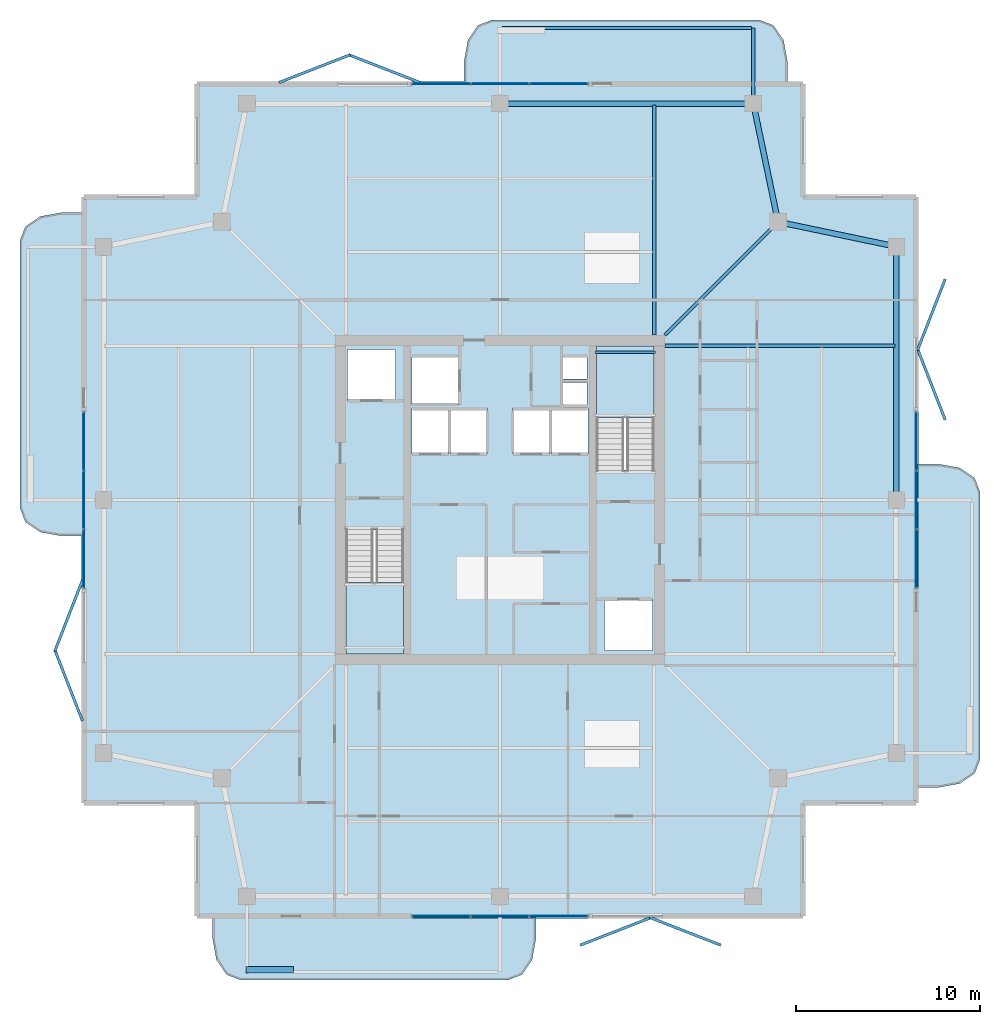
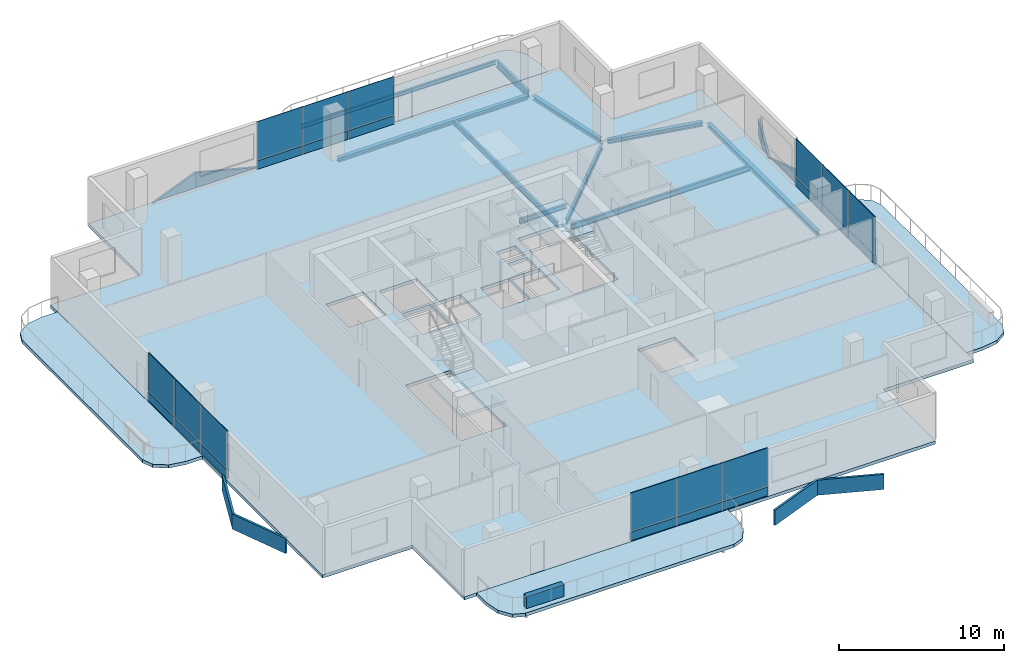
# One storey, part 11 of 17: 32 plates, 10 beams, 7 slabs, 1 wall, 6 elements without a shape of their own.
"""IFC4 building model written with IfcOpenShell, lengths in metres."""

from ifc_helpers import new_model, si_unit, direction, frame, frame_2d, origin, origin_2d, place, context, subcontext, project, spatial, polyline, rectangle, i_section, outline, extrude, material, layer, layer_set, material_profile, profile_set, type_object, element, aggregate, save


model = new_model("IFC4")

# Units and contexts
model_context = context("Model", 3, precision=1e-05, world=origin(), true_north=direction((0.0, 1.0)))
body_context = subcontext(model_context, "Body", "Model", "MODEL_VIEW")
ifc_project = project(units=[si_unit("LENGTHUNIT", "METRE"), si_unit("AREAUNIT", "SQUARE_METRE"), si_unit("VOLUMEUNIT", "CUBIC_METRE"), si_unit("PLANEANGLEUNIT", "RADIAN"), si_unit("MASSUNIT", "GRAM", prefix="KILO")], contexts=[model_context])

# Site, building, storey
site_placement = place(None, origin())
site = spatial("IfcSite", under=ifc_project, at=site_placement, CompositionType="ELEMENT")
building_placement = place(site_placement, origin())
building = spatial("IfcBuilding", under=site, at=building_placement, Name="Belovzor Exchange Tower", CompositionType="ELEMENT")
storey_placement = place(building_placement, frame((0.0, 0.0, 325.5)))
storey = spatial("IfcBuildingStorey", under=building, at=storey_placement, Name="L81", CompositionType="ELEMENT", Elevation=325.5)

# Beams
ifc_material_1 = material(Name="Steel S355", Category="steel")
ifc_material_profile_1 = material_profile(ifc_material_1, i_section(OverallWidth=0.199951171875, OverallDepth=0.5, WebThickness=0.01025390625, FlangeThickness=0.01611328125, at=origin_2d()))
ifc_profile_set_1 = profile_set([ifc_material_profile_1], Name="Steel S355")
beam_type_1 = type_object("IfcBeamType", Name="Planted Balcony Cantilever Beam IPE 500", PredefinedType="BEAM", material=ifc_profile_set_1)
beam_1_placement = place(storey_placement, frame((42.60009765625, 50.660888671875, -0.489990234375), z_axis=(0.0, 1.0, 0.0), x_axis=(-1.0, 0.0, 0.0)))
element("IfcBeam", 1, at=beam_1_placement, inside=storey, type_object=beam_type_1, Name="BC-500 Planted Balcony Cantilever Beam IPE 500", PredefinedType="BEAM", context=body_context, shape_type="SweptSolid", body=[
    extrude(i_section(OverallWidth=0.199951171875, OverallDepth=0.5, WebThickness=0.01025390625, FlangeThickness=0.01611328125, at=origin_2d()), origin(), (0.0, 0.0, 1.0), 3.85009765625),
])
ifc_material_2 = material(Name="Steel S355", Category="steel")
ifc_material_profile_2 = material_profile(ifc_material_2, i_section(OverallWidth=0.14990234375, OverallDepth=0.300048828125, WebThickness=0.007080078125, FlangeThickness=0.0107421875, at=origin_2d()))
ifc_profile_set_2 = profile_set([ifc_material_profile_2], Name="Steel S355")
beam_type_2 = type_object("IfcBeamType", Name="Planted Balcony Fascia Edge Beam IPE 300", PredefinedType="BEAM", material=ifc_profile_set_2)
beam_2_placement = place(storey_placement, frame((42.5, 54.510986328125, -0.389892578125), z_axis=(-1.0, 0.0, 0.0), x_axis=(0.0, -1.0, 0.0)))
element("IfcBeam", 2, at=beam_2_placement, inside=storey, type_object=beam_type_2, Name="BC-300 Planted Balcony Fascia Edge Beam IPE 300", PredefinedType="BEAM", context=body_context, shape_type="SweptSolid", body=[
    extrude(i_section(OverallWidth=0.14990234375, OverallDepth=0.300048828125, WebThickness=0.007080078125, FlangeThickness=0.0107421875, at=origin_2d()), origin(), (0.0, 0.0, 1.0), 13.60009765625),
])
ifc_material_3 = material(Name="Steel S355", Category="steel")
ifc_material_profile_3 = material_profile(ifc_material_3, i_section(OverallWidth=0.14990234375, OverallDepth=0.300048828125, WebThickness=0.007080078125, FlangeThickness=0.0107421875, at=origin_2d()))
ifc_profile_set_3 = profile_set([ifc_material_profile_3], Name="Steel S355")
beam_type_3 = type_object("IfcBeamType", Name="Secondary Trim Floor Joist IPE 300", PredefinedType="BEAM", material=ifc_profile_set_3)
beam_3_placement = place(storey_placement, frame((37.280029296875, 36.85009765625, 1.52490234375), z_axis=(-1.0, 0.0, 0.0), x_axis=(0.0, -1.0, 0.0)))
element("IfcBeam", 3, at=beam_3_placement, inside=storey, type_object=beam_type_3, Name="FJ-300 Secondary Trim Floor Joist IPE 300", PredefinedType="BEAM", context=body_context, shape_type="SweptSolid", body=[
    extrude(i_section(OverallWidth=0.14990234375, OverallDepth=0.300048828125, WebThickness=0.007080078125, FlangeThickness=0.0107421875, at=origin_2d()), origin(), (0.0, 0.0, 1.0), 3.31005859375),
])
ifc_material_4 = material(Name="Steel S355", Category="steel")
ifc_material_profile_4 = material_profile(ifc_material_4, i_section(OverallWidth=0.179931640625, OverallDepth=0.39990234375, WebThickness=0.008544921875, FlangeThickness=0.013427734375, at=origin_2d()))
ifc_profile_set_4 = profile_set([ifc_material_profile_4], Name="Steel S355")
beam_type_4 = type_object("IfcBeamType", Name="Zone 5-6 Radial Composite Floor Beam IPE 400", PredefinedType="BEAM", material=ifc_profile_set_4)
for number, where, z_axis, x_axis, name in (
    (4, (37.199951171875, 37.800048828125, -0.43994140625), (0.0, 1.0, 0.0), (-1.0, 0.0, 0.0), "FB-400 Zone 5-6 Radial Composite Floor Beam IPE 400"),
    (5, (37.800048828125, 37.199951171875, -0.43994140625), (1.0, 0.0, 0.0), (0.0, 1.0, 0.0), "FB-400 Zone 5-6 Radial Composite Floor Beam IPE 400"),
):
    element("IfcBeam", number, at=place(storey_placement, frame(where, z_axis=z_axis, x_axis=x_axis)), inside=storey, type_object=beam_type_4, Name=name, PredefinedType="BEAM", context=body_context, shape_type="SweptSolid", body=[
        extrude(i_section(OverallWidth=0.179931640625, OverallDepth=0.39990234375, WebThickness=0.008544921875, FlangeThickness=0.013427734375, at=origin_2d()), origin(), (0.0, 0.0, 1.0), 12.52490234375),
    ])
beam_4_placement = place(storey_placement, frame((37.800048828125, 37.800048828125, -0.43994140625), z_axis=(0.707106781187, 0.707106781187, 0.0), x_axis=(-0.707106781187, 0.707106781187, 0.0)))
element("IfcBeam", 6, at=beam_4_placement, inside=storey, type_object=beam_type_4, Name="FB-400 Zone 5-6 Radial Composite Floor Beam IPE 400", PredefinedType="BEAM", context=body_context, shape_type="SweptSolid", body=[
    extrude(i_section(OverallWidth=0.179931640625, OverallDepth=0.39990234375, WebThickness=0.008544921875, FlangeThickness=0.013427734375, at=origin_2d()), origin(), (0.0, 0.0, 1.0), 8.362060546875),
])
ifc_material_5 = material(Name="Steel S355", Category="steel")
ifc_material_profile_5 = material_profile(ifc_material_5, i_section(OverallWidth=0.300048828125, OverallDepth=0.300048828125, WebThickness=0.008544921875, FlangeThickness=0.013916015625, at=origin_2d()))
ifc_profile_set_5 = profile_set([ifc_material_profile_5], Name="Steel S355")
beam_type_5 = type_object("IfcBeamType", Name="Zone 6 Primary Girder HEA 300", PredefinedType="BEAM", material=ifc_profile_set_5)
beam_5_placement = place(storey_placement, frame((50.39990234375, 29.06103515625, -0.389892578125), z_axis=(0.0, 1.0, 0.0), x_axis=(-1.0, 0.0, 0.0)))
element("IfcBeam", 7, at=beam_5_placement, inside=storey, type_object=beam_type_5, Name="FG-Z6 Zone 6 Primary Girder HEA 300", PredefinedType="BEAM", context=body_context, shape_type="SweptSolid", body=[
    extrude(i_section(OverallWidth=0.300048828125, OverallDepth=0.300048828125, WebThickness=0.008544921875, FlangeThickness=0.013916015625, at=origin_2d()), origin(), (0.0, 0.0, 1.0), 13.278076171875),
])
for number, where, z_axis, x_axis, name in (
    (8, (50.14404296875, 42.654052734375, -0.389892578125), (-0.978820078908, 0.204722380619, 0.0), (-0.204722380619, -0.978820078908, 0.0), "FG-Z6 Zone 6 Primary Girder HEA 300"),
    (9, (43.89599609375, 44.2060546875, -0.389892578125), (-0.204722380619, 0.978820078908, 0.0), (-0.978820078908, -0.204722380619, 0.0), "FG-Z6 Zone 6 Primary Girder HEA 300"),
):
    element("IfcBeam", number, at=place(storey_placement, frame(where, z_axis=z_axis, x_axis=x_axis)), inside=storey, type_object=beam_type_5, Name=name, PredefinedType="BEAM", context=body_context, shape_type="SweptSolid", body=[
        extrude(i_section(OverallWidth=0.300048828125, OverallDepth=0.300048828125, WebThickness=0.008544921875, FlangeThickness=0.013916015625, at=origin_2d()), origin(), (0.0, 0.0, 1.0), 6.06640625),
    ])
beam_6_placement = place(storey_placement, frame((42.339111328125, 50.39990234375, -0.389892578125), z_axis=(-1.0, 0.0, 0.0), x_axis=(0.0, -1.0, 0.0)))
element("IfcBeam", 10, at=beam_6_placement, inside=storey, type_object=beam_type_5, Name="FG-Z6 Zone 6 Primary Girder HEA 300", PredefinedType="BEAM", context=body_context, shape_type="SweptSolid", body=[
    extrude(i_section(OverallWidth=0.300048828125, OverallDepth=0.300048828125, WebThickness=0.008544921875, FlangeThickness=0.013916015625, at=origin_2d()), origin(), (0.0, 0.0, 1.0), 13.278076171875),
])

# Slab
ifc_material_6 = material(Name="Concrete C40/50", Category="concrete")
ifc_layer_1 = layer(ifc_material_6, 0.239990234375)
ifc_layer_set_1 = layer_set([ifc_layer_1], Name="Concrete C40/50")
slab_type_1 = type_object("IfcSlabType", Name="Composite High-Rise Floor Deck Slab 240", PredefinedType="FLOOR", material=ifc_layer_set_1)
slab_1_placement = place(storey_placement, frame((0.0, 0.0, -0.239990234375)))
element("IfcSlab", 11, at=slab_1_placement, inside=storey, type_object=slab_type_1, Name="SL-F240 Structural Slab L81", PredefinedType="FLOOR", context=body_context, shape_type="SweptSolid", body=[
    extrude(outline(polyline([(12.300048828125, 6.0), (45.300048828125, 6.0), (45.300048828125, 12.300048828125), (51.60009765625, 12.300048828125), (51.60009765625, 45.300048828125), (45.300048828125, 45.300048828125), (45.300048828125, 51.60009765625), (12.300048828125, 51.60009765625), (12.300048828125, 45.300048828125), (6.0, 45.300048828125), (6.0, 12.300048828125), (12.300048828125, 12.300048828125), (12.300048828125, 6.0)]), holes=[polyline([(20.39990234375, 27.175048828125), (20.39990234375, 20.39990234375), (23.550048828125, 20.39990234375), (23.550048828125, 27.175048828125), (20.39990234375, 27.175048828125)]), polyline([(37.199951171875, 30.425048828125), (37.199951171875, 37.199951171875), (34.050048828125, 37.199951171875), (34.050048828125, 30.425048828125), (37.199951171875, 30.425048828125)]), polyline([(20.5, 34.199951171875), (23.10009765625, 34.199951171875), (23.10009765625, 37.0), (20.5, 37.0), (20.5, 34.199951171875)]), polyline([(34.5, 20.60009765625), (37.10009765625, 20.60009765625), (37.10009765625, 23.39990234375), (34.5, 23.39990234375), (34.5, 20.60009765625)]), polyline([(24.0, 34.0), (26.60009765625, 34.0), (26.60009765625, 36.60009765625), (24.0, 36.60009765625), (24.0, 34.0)]), polyline([(24.0, 31.300048828125), (26.0, 31.300048828125), (26.0, 33.800048828125), (24.0, 33.800048828125), (24.0, 31.300048828125)]), polyline([(26.10009765625, 31.300048828125), (28.10009765625, 31.300048828125), (28.10009765625, 33.800048828125), (26.10009765625, 33.800048828125), (26.10009765625, 31.300048828125)]), polyline([(29.5, 31.300048828125), (31.5, 31.300048828125), (31.5, 33.800048828125), (29.5, 33.800048828125), (29.5, 31.300048828125)]), polyline([(31.60009765625, 31.300048828125), (33.60009765625, 31.300048828125), (33.60009765625, 33.800048828125), (31.60009765625, 33.800048828125), (31.60009765625, 31.300048828125)]), polyline([(32.199951171875, 34.0), (33.550048828125, 34.0), (33.550048828125, 35.199951171875), (32.199951171875, 35.199951171875), (32.199951171875, 34.0)]), polyline([(32.199951171875, 35.39990234375), (33.550048828125, 35.39990234375), (33.550048828125, 36.60009765625), (32.199951171875, 36.60009765625), (32.199951171875, 35.39990234375)])]), origin(), (0.0, 0.0, 1.0), 0.239990234375),
])

# Curtain wall, plates
ifc_material_7 = material(Name="Anodised Aluminium Framing", Category="aluminium")
ifc_layer_2 = layer(ifc_material_7, 0.179931640625)
ifc_layer_set_2 = layer_set([ifc_layer_2], Name="Anodised Aluminium Framing")
curtain_wall_type = type_object("IfcCurtainWallType", Name="Recessed Loggia Low-Iron Triple-Glazed Curtain Wall", PredefinedType="NOTDEFINED", material=ifc_layer_set_2)
curtain_wall_1_placement = place(storey_placement, origin())
curtain_wall_1 = element("IfcCurtainWall", 12, at=curtain_wall_1_placement, inside=storey, type_object=curtain_wall_type, Name="CW3 Recessed Loggia Low-Iron Triple-Glazed Curtain Wall L81", PredefinedType="NOTDEFINED")
ifc_material_8 = material(Name="Solar-Control Triple Glazing", Category="glass")
ifc_layer_3 = layer(ifc_material_8, 0.0439453125)
ifc_layer_set_3 = layer_set([ifc_layer_3], Name="Solar-Control Triple Glazing")
plate_type_1 = type_object("IfcPlateType", Name="Insulated Solar Glazing Curtain Panel 44", PredefinedType="CURTAIN_PANEL", material=ifc_layer_set_3)
plate_1_placement = place(storey_placement, frame((32.0, 6.1298828125, 0.634033203125), z_axis=(0.0, 0.0, 1.0), x_axis=(-1.0, 0.0, 0.0)))
plate_1 = element("IfcPlate", 13, at=plate_1_placement, type_object=plate_type_1, Name="GLZ-44 Glazed Curtain Panel 1", PredefinedType="CURTAIN_PANEL", context=body_context, shape_type="SweptSolid", body=[
    extrude(rectangle(XDim=3.18408203125, YDim=0.0439453125, at=origin_2d()), origin(), (0.0, 0.0, 1.0), 2.8759765625),
])
plate_2_placement = place(storey_placement, frame((28.800048828125, 6.1298828125, 0.634033203125), z_axis=(0.0, 0.0, 1.0), x_axis=(-1.0, 0.0, 0.0)))
plate_2 = element("IfcPlate", 14, at=plate_2_placement, type_object=plate_type_1, Name="GLZ-44 Glazed Curtain Panel 2", PredefinedType="CURTAIN_PANEL", context=body_context, shape_type="SweptSolid", body=[
    extrude(rectangle(XDim=3.18408203125, YDim=0.0439453125, at=origin_2d()), origin(), (0.0, 0.0, 1.0), 2.8759765625),
])
plate_3_placement = place(storey_placement, frame((25.60009765625, 6.1298828125, 0.634033203125), z_axis=(0.0, 0.0, 1.0), x_axis=(-1.0, 0.0, 0.0)))
plate_3 = element("IfcPlate", 15, at=plate_3_placement, type_object=plate_type_1, Name="GLZ-44 Glazed Curtain Panel 3", PredefinedType="CURTAIN_PANEL", context=body_context, shape_type="SweptSolid", body=[
    extrude(rectangle(XDim=3.18408203125, YDim=0.0439453125, at=origin_2d()), origin(), (0.0, 0.0, 1.0), 2.8759765625),
])

curtain_wall_2_placement = place(storey_placement, origin())
curtain_wall_2 = element("IfcCurtainWall", 16, at=curtain_wall_2_placement, inside=storey, type_object=curtain_wall_type, Name="CW3 Recessed Loggia Low-Iron Triple-Glazed Curtain Wall L81", PredefinedType="NOTDEFINED")
plate_4_placement = place(storey_placement, frame((25.60009765625, 51.469970703125, 0.634033203125), z_axis=(0.0, 0.0, 1.0), x_axis=(1.0, 0.0, 0.0)))
plate_4 = element("IfcPlate", 17, at=plate_4_placement, type_object=plate_type_1, Name="GLZ-44 Glazed Curtain Panel 1", PredefinedType="CURTAIN_PANEL", context=body_context, shape_type="SweptSolid", body=[
    extrude(rectangle(XDim=3.18408203125, YDim=0.0439453125, at=origin_2d()), origin(), (0.0, 0.0, 1.0), 2.8759765625),
])
plate_5_placement = place(storey_placement, frame((28.800048828125, 51.469970703125, 0.634033203125), z_axis=(0.0, 0.0, 1.0), x_axis=(1.0, 0.0, 0.0)))
plate_5 = element("IfcPlate", 18, at=plate_5_placement, type_object=plate_type_1, Name="GLZ-44 Glazed Curtain Panel 2", PredefinedType="CURTAIN_PANEL", context=body_context, shape_type="SweptSolid", body=[
    extrude(rectangle(XDim=3.18408203125, YDim=0.0439453125, at=origin_2d()), origin(), (0.0, 0.0, 1.0), 2.8759765625),
])
plate_6_placement = place(storey_placement, frame((32.0, 51.469970703125, 0.634033203125), z_axis=(0.0, 0.0, 1.0), x_axis=(1.0, 0.0, 0.0)))
plate_6 = element("IfcPlate", 19, at=plate_6_placement, type_object=plate_type_1, Name="GLZ-44 Glazed Curtain Panel 3", PredefinedType="CURTAIN_PANEL", context=body_context, shape_type="SweptSolid", body=[
    extrude(rectangle(XDim=3.18408203125, YDim=0.0439453125, at=origin_2d()), origin(), (0.0, 0.0, 1.0), 2.8759765625),
])

curtain_wall_3_placement = place(storey_placement, origin())
curtain_wall_3 = element("IfcCurtainWall", 20, at=curtain_wall_3_placement, inside=storey, type_object=curtain_wall_type, Name="CW3 Recessed Loggia Low-Iron Triple-Glazed Curtain Wall L81", PredefinedType="NOTDEFINED")
plate_7_placement = place(storey_placement, frame((6.1298828125, 25.60009765625, 0.634033203125), z_axis=(0.0, 0.0, 1.0), x_axis=(0.0, 1.0, 0.0)))
plate_7 = element("IfcPlate", 21, at=plate_7_placement, type_object=plate_type_1, Name="GLZ-44 Glazed Curtain Panel 1", PredefinedType="CURTAIN_PANEL", context=body_context, shape_type="SweptSolid", body=[
    extrude(rectangle(XDim=3.18408203125, YDim=0.0439453125, at=origin_2d()), origin(), (0.0, 0.0, 1.0), 2.8759765625),
])
plate_8_placement = place(storey_placement, frame((6.1298828125, 28.800048828125, 0.634033203125), z_axis=(0.0, 0.0, 1.0), x_axis=(0.0, 1.0, 0.0)))
plate_8 = element("IfcPlate", 22, at=plate_8_placement, type_object=plate_type_1, Name="GLZ-44 Glazed Curtain Panel 2", PredefinedType="CURTAIN_PANEL", context=body_context, shape_type="SweptSolid", body=[
    extrude(rectangle(XDim=3.18408203125, YDim=0.0439453125, at=origin_2d()), origin(), (0.0, 0.0, 1.0), 2.8759765625),
])
plate_9_placement = place(storey_placement, frame((6.1298828125, 32.0, 0.634033203125), z_axis=(0.0, 0.0, 1.0), x_axis=(0.0, 1.0, 0.0)))
plate_9 = element("IfcPlate", 23, at=plate_9_placement, type_object=plate_type_1, Name="GLZ-44 Glazed Curtain Panel 3", PredefinedType="CURTAIN_PANEL", context=body_context, shape_type="SweptSolid", body=[
    extrude(rectangle(XDim=3.18408203125, YDim=0.0439453125, at=origin_2d()), origin(), (0.0, 0.0, 1.0), 2.8759765625),
])

curtain_wall_4_placement = place(storey_placement, origin())
curtain_wall_4 = element("IfcCurtainWall", 24, at=curtain_wall_4_placement, inside=storey, type_object=curtain_wall_type, Name="CW3 Recessed Loggia Low-Iron Triple-Glazed Curtain Wall L81", PredefinedType="NOTDEFINED")
plate_10_placement = place(storey_placement, frame((51.469970703125, 32.0, 0.634033203125), z_axis=(0.0, 0.0, 1.0), x_axis=(0.0, -1.0, 0.0)))
plate_10 = element("IfcPlate", 25, at=plate_10_placement, type_object=plate_type_1, Name="GLZ-44 Glazed Curtain Panel 1", PredefinedType="CURTAIN_PANEL", context=body_context, shape_type="SweptSolid", body=[
    extrude(rectangle(XDim=3.18408203125, YDim=0.0439453125, at=origin_2d()), origin(), (0.0, 0.0, 1.0), 2.8759765625),
])
plate_11_placement = place(storey_placement, frame((51.469970703125, 28.800048828125, 0.634033203125), z_axis=(0.0, 0.0, 1.0), x_axis=(0.0, -1.0, 0.0)))
plate_11 = element("IfcPlate", 26, at=plate_11_placement, type_object=plate_type_1, Name="GLZ-44 Glazed Curtain Panel 2", PredefinedType="CURTAIN_PANEL", context=body_context, shape_type="SweptSolid", body=[
    extrude(rectangle(XDim=3.18408203125, YDim=0.0439453125, at=origin_2d()), origin(), (0.0, 0.0, 1.0), 2.8759765625),
])
plate_12_placement = place(storey_placement, frame((51.469970703125, 25.60009765625, 0.634033203125), z_axis=(0.0, 0.0, 1.0), x_axis=(0.0, -1.0, 0.0)))
plate_12 = element("IfcPlate", 27, at=plate_12_placement, type_object=plate_type_1, Name="GLZ-44 Glazed Curtain Panel 3", PredefinedType="CURTAIN_PANEL", context=body_context, shape_type="SweptSolid", body=[
    extrude(rectangle(XDim=3.18408203125, YDim=0.0439453125, at=origin_2d()), origin(), (0.0, 0.0, 1.0), 2.8759765625),
])

# Stair, slab
ifc_material_9 = material(Name="Concrete C40/50", Category="concrete")
stair_type = type_object("IfcStairType", Name="Reinforced Concrete Dogleg Escape Stair 1350", PredefinedType="HALF_TURN_STAIR", material=ifc_material_9)
stair_1_placement = place(storey_placement, origin())
stair_1 = element("IfcStair", 28, at=stair_1_placement, inside=storey, type_object=stair_type, Name="L81 ST-1", PredefinedType="HALF_TURN_STAIR")
ifc_material_10 = material(Name="Concrete C40/50", Category="concrete")
ifc_layer_4 = layer(ifc_material_10, 0.199951171875)
ifc_layer_set_4 = layer_set([ifc_layer_4], Name="Concrete C40/50")
slab_type_2 = type_object("IfcSlabType", Name="Reinforced Concrete Stair Half-Landing Slab 200", PredefinedType="LANDING", material=ifc_layer_set_4)
slab_2_placement = place(storey_placement, frame((0.0, 0.0, 1.675048828125)))
slab_2 = element("IfcSlab", 29, at=slab_2_placement, type_object=slab_type_2, Name="ST-1 landing 1", PredefinedType="LANDING", context=body_context, shape_type="SweptSolid", body=[
    extrude(outline(polyline([(20.39990234375, 24.300048828125), (20.39990234375, 20.39990234375), (23.550048828125, 20.39990234375), (23.550048828125, 24.300048828125), (20.39990234375, 24.300048828125)])), origin(), (0.0, 0.0, 1.0), 0.199951171875),
])
aggregate(stair_1, [slab_2])

stair_2_placement = place(storey_placement, origin())
stair_2 = element("IfcStair", 30, at=stair_2_placement, inside=storey, type_object=stair_type, Name="L81 ST-2", PredefinedType="HALF_TURN_STAIR")
slab_3_placement = place(storey_placement, frame((0.0, 0.0, 1.675048828125)))
slab_3 = element("IfcSlab", 31, at=slab_3_placement, type_object=slab_type_2, Name="ST-2 landing 1", PredefinedType="LANDING", context=body_context, shape_type="SweptSolid", body=[
    extrude(outline(polyline([(37.199951171875, 33.300048828125), (37.199951171875, 37.199951171875), (34.050048828125, 37.199951171875), (34.050048828125, 33.300048828125), (37.199951171875, 33.300048828125)])), origin(), (0.0, 0.0, 1.0), 0.199951171875),
])
aggregate(stair_2, [slab_3])

# Plate
ifc_material_11 = material(Name="Extruded Architectural Terracotta", Category="masonry")
ifc_layer_5 = layer(ifc_material_11, 0.090087890625)
ifc_layer_set_5 = layer_set([ifc_layer_5], Name="Extruded Architectural Terracotta")
plate_type_2 = type_object("IfcPlateType", Name="Terracotta Shadow-Box Spandrel Panel 90", PredefinedType="CURTAIN_PANEL", material=ifc_layer_set_5)
plate_13_placement = place(storey_placement, frame((32.0, 6.1298828125, 0.0), z_axis=(0.0, 0.0, 1.0), x_axis=(-1.0, 0.0, 0.0)))
plate_13 = element("IfcPlate", 32, at=plate_13_placement, type_object=plate_type_2, Name="SPD-90 Spandrel Panel 1", PredefinedType="CURTAIN_PANEL", context=body_context, shape_type="SweptSolid", body=[
    extrude(rectangle(XDim=3.18408203125, YDim=0.090087890625, at=origin_2d()), origin(), (0.0, 0.0, 1.0), 0.6298828125),
])

plate_14_placement = place(storey_placement, frame((28.800048828125, 6.1298828125, 0.0), z_axis=(0.0, 0.0, 1.0), x_axis=(-1.0, 0.0, 0.0)))
plate_14 = element("IfcPlate", 33, at=plate_14_placement, type_object=plate_type_2, Name="SPD-90 Spandrel Panel 2", PredefinedType="CURTAIN_PANEL", context=body_context, shape_type="SweptSolid", body=[
    extrude(rectangle(XDim=3.18408203125, YDim=0.090087890625, at=origin_2d()), origin(), (0.0, 0.0, 1.0), 0.6298828125),
])

plate_15_placement = place(storey_placement, frame((25.60009765625, 6.1298828125, 0.0), z_axis=(0.0, 0.0, 1.0), x_axis=(-1.0, 0.0, 0.0)))
plate_15 = element("IfcPlate", 34, at=plate_15_placement, type_object=plate_type_2, Name="SPD-90 Spandrel Panel 3", PredefinedType="CURTAIN_PANEL", context=body_context, shape_type="SweptSolid", body=[
    extrude(rectangle(XDim=3.18408203125, YDim=0.090087890625, at=origin_2d()), origin(), (0.0, 0.0, 1.0), 0.6298828125),
])

aggregate(curtain_wall_1, [plate_13, plate_1, plate_14, plate_2, plate_15, plate_3])

plate_16_placement = place(storey_placement, frame((25.60009765625, 51.469970703125, 0.0), z_axis=(0.0, 0.0, 1.0), x_axis=(1.0, 0.0, 0.0)))
plate_16 = element("IfcPlate", 35, at=plate_16_placement, type_object=plate_type_2, Name="SPD-90 Spandrel Panel 1", PredefinedType="CURTAIN_PANEL", context=body_context, shape_type="SweptSolid", body=[
    extrude(rectangle(XDim=3.18408203125, YDim=0.090087890625, at=origin_2d()), origin(), (0.0, 0.0, 1.0), 0.6298828125),
])

plate_17_placement = place(storey_placement, frame((28.800048828125, 51.469970703125, 0.0), z_axis=(0.0, 0.0, 1.0), x_axis=(1.0, 0.0, 0.0)))
plate_17 = element("IfcPlate", 36, at=plate_17_placement, type_object=plate_type_2, Name="SPD-90 Spandrel Panel 2", PredefinedType="CURTAIN_PANEL", context=body_context, shape_type="SweptSolid", body=[
    extrude(rectangle(XDim=3.18408203125, YDim=0.090087890625, at=origin_2d()), origin(), (0.0, 0.0, 1.0), 0.6298828125),
])

plate_18_placement = place(storey_placement, frame((32.0, 51.469970703125, 0.0), z_axis=(0.0, 0.0, 1.0), x_axis=(1.0, 0.0, 0.0)))
plate_18 = element("IfcPlate", 37, at=plate_18_placement, type_object=plate_type_2, Name="SPD-90 Spandrel Panel 3", PredefinedType="CURTAIN_PANEL", context=body_context, shape_type="SweptSolid", body=[
    extrude(rectangle(XDim=3.18408203125, YDim=0.090087890625, at=origin_2d()), origin(), (0.0, 0.0, 1.0), 0.6298828125),
])

aggregate(curtain_wall_2, [plate_16, plate_4, plate_17, plate_5, plate_18, plate_6])

plate_19_placement = place(storey_placement, frame((6.1298828125, 25.60009765625, 0.0), z_axis=(0.0, 0.0, 1.0), x_axis=(0.0, 1.0, 0.0)))
plate_19 = element("IfcPlate", 38, at=plate_19_placement, type_object=plate_type_2, Name="SPD-90 Spandrel Panel 1", PredefinedType="CURTAIN_PANEL", context=body_context, shape_type="SweptSolid", body=[
    extrude(rectangle(XDim=3.18408203125, YDim=0.090087890625, at=origin_2d()), origin(), (0.0, 0.0, 1.0), 0.6298828125),
])

plate_20_placement = place(storey_placement, frame((6.1298828125, 28.800048828125, 0.0), z_axis=(0.0, 0.0, 1.0), x_axis=(0.0, 1.0, 0.0)))
plate_20 = element("IfcPlate", 39, at=plate_20_placement, type_object=plate_type_2, Name="SPD-90 Spandrel Panel 2", PredefinedType="CURTAIN_PANEL", context=body_context, shape_type="SweptSolid", body=[
    extrude(rectangle(XDim=3.18408203125, YDim=0.090087890625, at=origin_2d()), origin(), (0.0, 0.0, 1.0), 0.6298828125),
])

plate_21_placement = place(storey_placement, frame((6.1298828125, 32.0, 0.0), z_axis=(0.0, 0.0, 1.0), x_axis=(0.0, 1.0, 0.0)))
plate_21 = element("IfcPlate", 40, at=plate_21_placement, type_object=plate_type_2, Name="SPD-90 Spandrel Panel 3", PredefinedType="CURTAIN_PANEL", context=body_context, shape_type="SweptSolid", body=[
    extrude(rectangle(XDim=3.18408203125, YDim=0.090087890625, at=origin_2d()), origin(), (0.0, 0.0, 1.0), 0.6298828125),
])

aggregate(curtain_wall_3, [plate_19, plate_7, plate_20, plate_8, plate_21, plate_9])

plate_22_placement = place(storey_placement, frame((51.469970703125, 32.0, 0.0), z_axis=(0.0, 0.0, 1.0), x_axis=(0.0, -1.0, 0.0)))
plate_22 = element("IfcPlate", 41, at=plate_22_placement, type_object=plate_type_2, Name="SPD-90 Spandrel Panel 1", PredefinedType="CURTAIN_PANEL", context=body_context, shape_type="SweptSolid", body=[
    extrude(rectangle(XDim=3.18408203125, YDim=0.090087890625, at=origin_2d()), origin(), (0.0, 0.0, 1.0), 0.6298828125),
])

plate_23_placement = place(storey_placement, frame((51.469970703125, 28.800048828125, 0.0), z_axis=(0.0, 0.0, 1.0), x_axis=(0.0, -1.0, 0.0)))
plate_23 = element("IfcPlate", 42, at=plate_23_placement, type_object=plate_type_2, Name="SPD-90 Spandrel Panel 2", PredefinedType="CURTAIN_PANEL", context=body_context, shape_type="SweptSolid", body=[
    extrude(rectangle(XDim=3.18408203125, YDim=0.090087890625, at=origin_2d()), origin(), (0.0, 0.0, 1.0), 0.6298828125),
])

plate_24_placement = place(storey_placement, frame((51.469970703125, 25.60009765625, 0.0), z_axis=(0.0, 0.0, 1.0), x_axis=(0.0, -1.0, 0.0)))
plate_24 = element("IfcPlate", 43, at=plate_24_placement, type_object=plate_type_2, Name="SPD-90 Spandrel Panel 3", PredefinedType="CURTAIN_PANEL", context=body_context, shape_type="SweptSolid", body=[
    extrude(rectangle(XDim=3.18408203125, YDim=0.090087890625, at=origin_2d()), origin(), (0.0, 0.0, 1.0), 0.6298828125),
])

aggregate(curtain_wall_4, [plate_22, plate_10, plate_23, plate_11, plate_24, plate_12])

# Slabs
ifc_material_12 = material(Name="Concrete C40/50", Category="concrete")
ifc_layer_6 = layer(ifc_material_12, 0.239990234375)
ifc_layer_set_6 = layer_set([ifc_layer_6], Name="Concrete C40/50")
slab_type_3 = type_object("IfcSlabType", Name="Thermally Broken Upper Balcony Slab 240", PredefinedType="FLOOR", material=ifc_layer_set_6)
slab_4_placement = place(storey_placement, frame((0.0, 0.0, -0.239990234375)))
element("IfcSlab", 44, at=slab_4_placement, inside=storey, type_object=slab_type_3, Name="SL-BAL220 Planted Balcony Loggia L81 South", PredefinedType="FLOOR", context=body_context, shape_type="SweptSolid", body=[
    extrude(outline(polyline([(13.14990234375, 6.014892578125), (13.14990234375, 4.85009765625), (13.35107421875, 3.75), (13.89990234375, 2.945068359375), (14.64990234375, 2.64990234375), (29.25, 2.64990234375), (30.0, 2.945068359375), (30.549072265625, 3.75), (30.75, 4.85009765625), (30.75, 6.014892578125), (13.14990234375, 6.014892578125)])), origin(), (0.0, 0.0, 1.0), 0.239990234375),
])
slab_5_placement = place(storey_placement, frame((0.0, 0.0, -0.239990234375)))
element("IfcSlab", 45, at=slab_5_placement, inside=storey, type_object=slab_type_3, Name="SL-BAL220 Planted Balcony Loggia L81 North", PredefinedType="FLOOR", context=body_context, shape_type="SweptSolid", body=[
    extrude(outline(polyline([(44.449951171875, 51.5849609375), (44.449951171875, 52.75), (44.2490234375, 53.85009765625), (43.699951171875, 54.655029296875), (42.949951171875, 54.949951171875), (28.35009765625, 54.949951171875), (27.60009765625, 54.655029296875), (27.051025390625, 53.85009765625), (26.85009765625, 52.75), (26.85009765625, 51.5849609375), (44.449951171875, 51.5849609375)])), origin(), (0.0, 0.0, 1.0), 0.239990234375),
])
slab_6_placement = place(storey_placement, frame((0.0, 0.0, -0.239990234375)))
element("IfcSlab", 46, at=slab_6_placement, inside=storey, type_object=slab_type_3, Name="SL-BAL220 Planted Balcony Loggia L81 East", PredefinedType="FLOOR", context=body_context, shape_type="SweptSolid", body=[
    extrude(outline(polyline([(51.5849609375, 13.14990234375), (52.75, 13.14990234375), (53.85009765625, 13.35107421875), (54.655029296875, 13.89990234375), (54.949951171875, 14.64990234375), (54.949951171875, 29.25), (54.655029296875, 30.0), (53.85009765625, 30.549072265625), (52.75, 30.75), (51.5849609375, 30.75), (51.5849609375, 13.14990234375)])), origin(), (0.0, 0.0, 1.0), 0.239990234375),
])
slab_7_placement = place(storey_placement, frame((0.0, 0.0, -0.239990234375)))
element("IfcSlab", 47, at=slab_7_placement, inside=storey, type_object=slab_type_3, Name="SL-BAL220 Planted Balcony Loggia L81 West", PredefinedType="FLOOR", context=body_context, shape_type="SweptSolid", body=[
    extrude(outline(polyline([(6.014892578125, 44.449951171875), (4.85009765625, 44.449951171875), (3.75, 44.2490234375), (2.945068359375, 43.699951171875), (2.64990234375, 42.949951171875), (2.64990234375, 28.35009765625), (2.945068359375, 27.60009765625), (3.75, 27.051025390625), (4.85009765625, 26.85009765625), (6.014892578125, 26.85009765625), (6.014892578125, 44.449951171875)])), origin(), (0.0, 0.0, 1.0), 0.239990234375),
])

# Plates
ifc_material_13 = material(Name="Extruded Architectural Terracotta", Category="masonry")
ifc_layer_7 = layer(ifc_material_13, 0.14990234375)
ifc_layer_set_7 = layer_set([ifc_layer_7], Name="Extruded Architectural Terracotta")
plate_type_3 = type_object("IfcPlateType", Name="Upper-Crown Deep Folded Zigzag Terracotta Spandrel Louvre 150", PredefinedType="USERDEFINED", material=ifc_layer_set_7)
for number, where, z_axis, x_axis, name in (
    (48, (18.699951171875, 52.300048828125, -1.10498046875), (0.0, 0.0, 1.0), (0.931817969421, 0.362925986758, 0.0), "LVR-ZZ3 Zigzag Terracotta Spandrel Louvre L81 N1A"),
    (49, (22.5, 52.300048828125, -1.10498046875), (0.0, 0.0, 1.0), (0.931817969421, -0.362925986758, 0.0), "LVR-ZZ3 Zigzag Terracotta Spandrel Louvre L81 N1B"),
    (50, (5.300048828125, 18.699951171875, -1.10498046875), (0.0, 0.0, 1.0), (-0.362925986758, 0.931817969421, 0.0), "LVR-ZZ3 Zigzag Terracotta Spandrel Louvre L81 W1A"),
    (51, (5.300048828125, 22.5, -1.10498046875), (0.0, 0.0, 1.0), (0.362925986758, 0.931817969421, 0.0), "LVR-ZZ3 Zigzag Terracotta Spandrel Louvre L81 W1B"),
    (52, (35.10009765625, 5.300048828125, -1.10498046875), (0.0, 0.0, 1.0), (0.931817969421, 0.362925986758, 0.0), "LVR-ZZ3 Zigzag Terracotta Spandrel Louvre L81 S2A"),
    (53, (38.89990234375, 5.300048828125, -1.10498046875), (0.0, 0.0, 1.0), (0.931817969421, -0.362925986758, 0.0), "LVR-ZZ3 Zigzag Terracotta Spandrel Louvre L81 S2B"),
    (54, (52.300048828125, 35.10009765625, -1.10498046875), (0.0, 0.0, 1.0), (-0.362925986758, 0.931817969421, 0.0), "LVR-ZZ3 Zigzag Terracotta Spandrel Louvre L81 E2A"),
    (55, (52.300048828125, 38.89990234375, -1.10498046875), (0.0, 0.0, 1.0), (0.362925986758, 0.931817969421, 0.0), "LVR-ZZ3 Zigzag Terracotta Spandrel Louvre L81 E2B"),
):
    element("IfcPlate", number, at=place(storey_placement, frame(where, z_axis=z_axis, x_axis=x_axis)), inside=storey, type_object=plate_type_3, Name=name, ObjectType="SPANDREL_LOUVRE", PredefinedType="USERDEFINED", context=body_context, shape_type="SweptSolid", body=[
        extrude(rectangle(XDim=4.157958984375, YDim=0.14990234375, at=origin_2d()), origin(), (0.0, 0.0, 1.0), 1.1201171875),
    ])

# Wall
ifc_material_14 = material(Name="Precast concrete C40/50", Category="concrete")
ifc_layer_8 = layer(ifc_material_14, 0.35009765625)
ifc_layer_set_8 = layer_set([ifc_layer_8], Name="Precast concrete C40/50")
wall_type = type_object("IfcWallType", Name="Precast Concrete Structural Tree Planter Trough 350", PredefinedType="PARAPET", material=ifc_layer_set_8)
wall_placement = place(storey_placement, frame((14.949951171875, 3.199951171875, 0.0), z_axis=(0.0, 0.0, 1.0), x_axis=(1.0, 0.0, 0.0)))
element("IfcWall", 56, at=wall_placement, inside=storey, type_object=wall_type, Name="PT-350 Precast Concrete Structural Tree Planter Trough 350 L81", PredefinedType="PARAPET", context=body_context, shape_type="SweptSolid", body=[
    extrude(rectangle(XDim=2.60009765625, YDim=0.35009765625, at=frame_2d((1.300048828125, 0.0))), origin(), (0.0, 0.0, 1.0), 0.89990234375),
])

save(model, "model.ifc")
